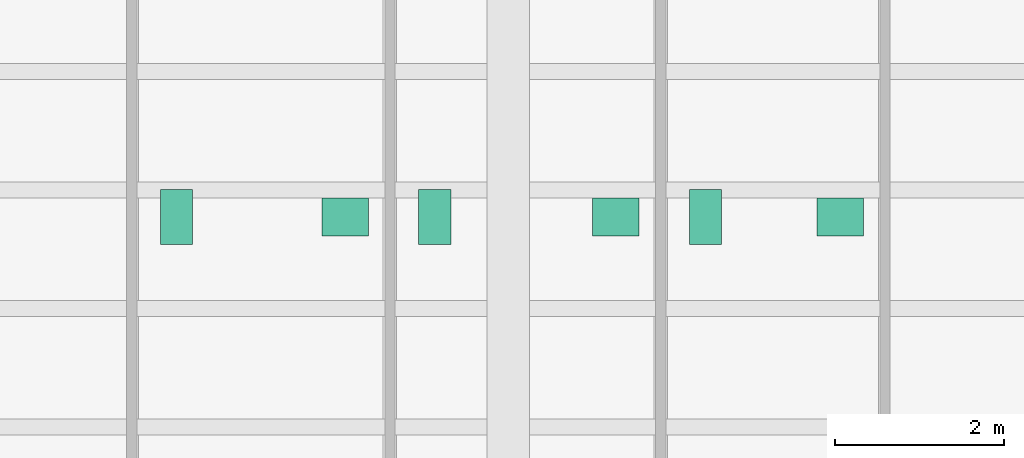
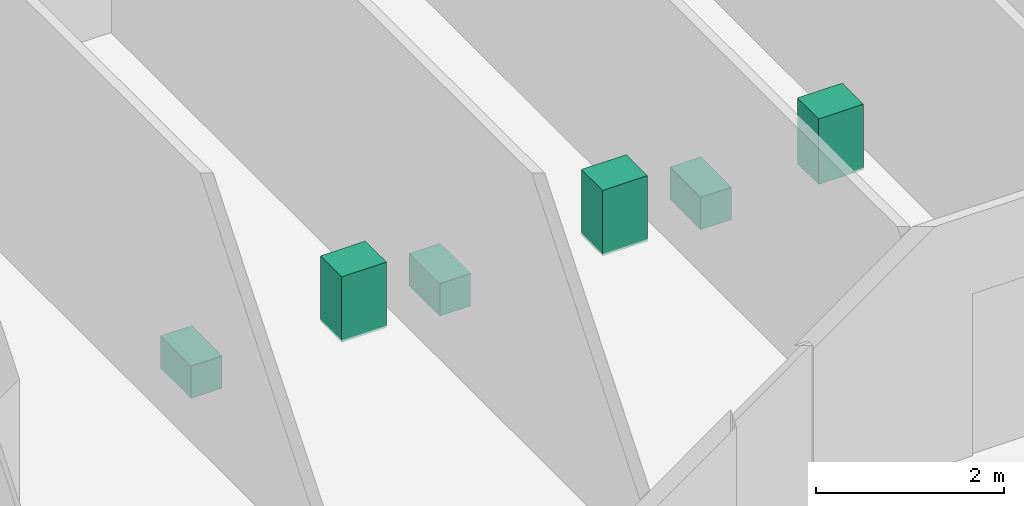
# One storey, part 9 of 9: 6 sanitary terminals.
"""IFC4 building model written with IfcOpenShell, lengths in metres."""

from ifc_helpers import new_model, si_unit, direction, frame, origin, origin_2d, place, context, subcontext, project, spatial, rectangle, extrude, material, type_object, element, save


model = new_model("IFC4")

# Units and contexts
model_context = context("Model", 3, precision=1e-05, world=origin(), true_north=direction((0.0, 1.0)))
body_context = subcontext(model_context, "Body", "Model", "MODEL_VIEW")
ifc_project = project(units=[si_unit("LENGTHUNIT", "METRE"), si_unit("AREAUNIT", "SQUARE_METRE"), si_unit("VOLUMEUNIT", "CUBIC_METRE"), si_unit("PLANEANGLEUNIT", "RADIAN"), si_unit("MASSUNIT", "GRAM", prefix="KILO")], contexts=[model_context])

# Site, building, storey
site_placement = place(None, origin())
site = spatial("IfcSite", under=ifc_project, at=site_placement, CompositionType="ELEMENT")
building_placement = place(site_placement, origin())
building = spatial("IfcBuilding", under=site, at=building_placement, Name="Kranthara Brick Stack", CompositionType="ELEMENT")
storey_placement = place(building_placement, frame((0.0, 0.0, 55.5)))
storey = spatial("IfcBuildingStorey", under=building, at=storey_placement, Name="L13", CompositionType="ELEMENT", Elevation=55.5)

# Sanitary terminals
ifc_material_1 = material(Name="Vitreous china sanitary porcelain", Category="other")
sanitary_terminal_type_1 = type_object("IfcSanitaryTerminalType", Name="SAN-BASIN", PredefinedType="WASHHANDBASIN", material=ifc_material_1)
for number, where, z_axis, x_axis, name in (
    (1, (26.070068359375, 29.985107421875, 0.0), (0.0, 0.0, 1.0), (1.0, 0.0, 0.0), "L13 Washbasin 39"),
    (2, (29.27001953125, 29.985107421875, 0.0), (0.0, 0.0, 1.0), (1.0, 0.0, 0.0), "L13 Washbasin 40"),
    (3, (31.919921875, 29.985107421875, 0.0), (0.0, 0.0, 1.0), (1.0, 0.0, 0.0), "L13 Washbasin 41"),
):
    element("IfcSanitaryTerminal", number, at=place(storey_placement, frame(where, z_axis=z_axis, x_axis=x_axis)), inside=storey, type_object=sanitary_terminal_type_1, Name=name, PredefinedType="WASHHANDBASIN", context=body_context, shape_type="SweptSolid", body=[
        extrude(rectangle(XDim=0.550048828125, YDim=0.449951171875, at=origin_2d()), origin(), (0.0, 0.0, 1.0), 0.85009765625),
    ])
ifc_material_2 = material(Name="Vitreous china sanitary porcelain", Category="other")
sanitary_terminal_type_2 = type_object("IfcSanitaryTerminalType", Name="SAN-WC-PAN", PredefinedType="TOILETPAN", material=ifc_material_2)
for number, where, z_axis, x_axis, name in (
    (4, (24.080078125, 29.985107421875, 0.0), (0.0, 0.0, 1.0), (1.0, 0.0, 0.0), "L13 WC Pan 39"),
    (5, (27.1298828125, 29.985107421875, 0.0), (0.0, 0.0, 1.0), (1.0, 0.0, 0.0), "L13 WC Pan 40"),
    (6, (30.330078125, 29.985107421875, 0.0), (0.0, 0.0, 1.0), (1.0, 0.0, 0.0), "L13 WC Pan 41"),
):
    element("IfcSanitaryTerminal", number, at=place(storey_placement, frame(where, z_axis=z_axis, x_axis=x_axis)), inside=storey, type_object=sanitary_terminal_type_2, Name=name, PredefinedType="TOILETPAN", context=body_context, shape_type="SweptSolid", body=[
        extrude(rectangle(XDim=0.3798828125, YDim=0.64990234375, at=origin_2d()), origin(), (0.0, 0.0, 1.0), 0.419921875),
    ])

save(model, "model.ifc")
